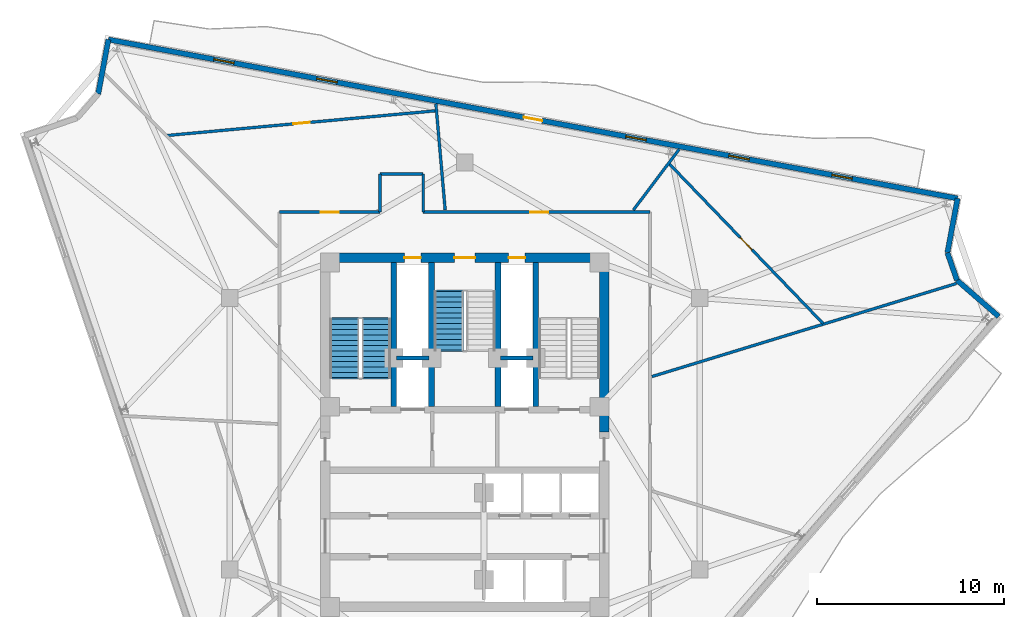
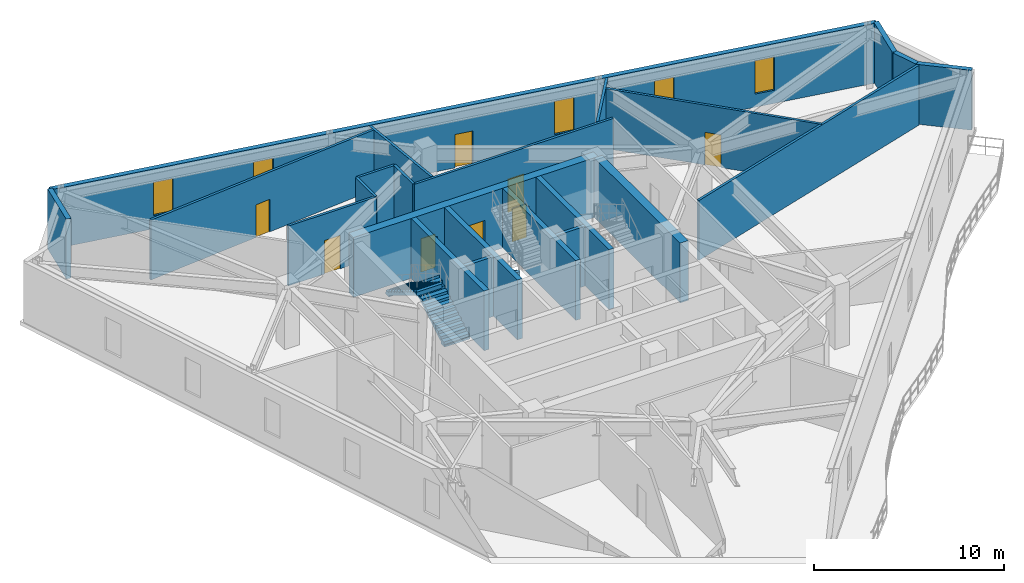
# One storey, part 6 of 10: 23 walls, 8 doors, 5 windows, 3 stair flights, 13 openings, 2 elements without a shape of their own.
"""IFC4 building model written with IfcOpenShell, lengths in metres."""

from ifc_helpers import new_model, si_unit, direction, frame, frame_2d, origin, place, context, subcontext, project, spatial, polyline, rectangle, outline, extrude, material, layer, layer_set, type_object, element, fill, aggregate, save


model = new_model("IFC4")

# Units and contexts
model_context = context("Model", 3, precision=1e-05, world=origin(), true_north=direction((0.0, 1.0)))
body_context = subcontext(model_context, "Body", "Model", "MODEL_VIEW")
ifc_project = project(units=[si_unit("LENGTHUNIT", "METRE"), si_unit("AREAUNIT", "SQUARE_METRE"), si_unit("VOLUMEUNIT", "CUBIC_METRE"), si_unit("PLANEANGLEUNIT", "RADIAN"), si_unit("MASSUNIT", "GRAM", prefix="KILO")], contexts=[model_context])

# Site, building, storey
site_placement = place(None, origin())
site = spatial("IfcSite", under=ifc_project, at=site_placement, CompositionType="ELEMENT")
building_placement = place(site_placement, origin())
building = spatial("IfcBuilding", under=site, at=building_placement, Name="Apsidion Concourse Tower", CompositionType="ELEMENT")
storey_placement = place(building_placement, frame((0.0, 0.0, 286.0)))
storey = spatial("IfcBuildingStorey", under=building, at=storey_placement, Name="L67", CompositionType="ELEMENT", Elevation=286.0)

# Wall, openings, door, windows
ifc_material_1 = material(Name="Precast concrete C40/50", Category="concrete")
ifc_layer_1 = layer(ifc_material_1, 0.280029296875)
ifc_layer_set_1 = layer_set([ifc_layer_1], Name="Precast concrete C40/50")
wall_type_1 = type_object("IfcWallType", Name="WL-EXT-280", PredefinedType="STANDARD", material=ifc_layer_set_1)
wall_1_placement = place(storey_placement, frame((-19.04150390625, 21.06640625, 0.0), z_axis=(0.0, 0.0, 1.0), x_axis=(0.982948140881, -0.183882985453, 0.0)))
wall_1 = element("IfcWall", 1, at=wall_1_placement, inside=storey, type_object=wall_type_1, Name="L67 Precast Stone Facade Wall 01", PredefinedType="STANDARD", context=body_context, shape_type="SweptSolid", body=[
    extrude(rectangle(XDim=46.16259765625, YDim=0.280029296875, at=frame_2d((23.081298828125, 0.0))), origin(), (0.0, 0.0, 1.0), 3.85009765625),
])
opening_1_placement = place(wall_1_placement, frame((22.581298828125, 0.0, 0.0)))
opening_1 = element("IfcOpeningElement", 2, at=opening_1_placement, cuts=wall_1, Name="Opening D-T1L", PredefinedType="OPENING", context=body_context, shape_type="SweptSolid", body=[
    extrude(rectangle(XDim=1.0, YDim=2.14990234375, at=frame_2d((0.5, 1.074951171875))), frame((0.0, 0.14990234375, 0.0), z_axis=(0.0, -1.0, 0.0), x_axis=(1.0, 0.0, 0.0)), (0.0, 0.0, 1.0), 0.300048828125),
])
opening_2_placement = place(wall_1_placement, frame((5.731201171875, 0.0, 0.85009765625)))
opening_2 = element("IfcOpeningElement", 3, at=opening_2_placement, cuts=wall_1, Name="Opening WN-07", PredefinedType="OPENING", context=body_context, shape_type="SweptSolid", body=[
    extrude(rectangle(XDim=1.10009765625, YDim=2.14990234375, at=frame_2d((0.550048828125, 1.074951171875))), frame((0.0, 0.14990234375, 0.0), z_axis=(0.0, -1.0, 0.0), x_axis=(1.0, 0.0, 0.0)), (0.0, 0.0, 1.0), 0.300048828125),
])
opening_3_placement = place(wall_1_placement, frame((11.331298828125, 0.0, 0.85009765625)))
opening_3 = element("IfcOpeningElement", 4, at=opening_3_placement, cuts=wall_1, Name="Opening WN-07", PredefinedType="OPENING", context=body_context, shape_type="SweptSolid", body=[
    extrude(rectangle(XDim=1.10009765625, YDim=2.14990234375, at=frame_2d((0.550048828125, 1.074951171875))), frame((0.0, 0.14990234375, 0.0), z_axis=(0.0, -1.0, 0.0), x_axis=(1.0, 0.0, 0.0)), (0.0, 0.0, 1.0), 0.300048828125),
])
opening_4_placement = place(wall_1_placement, frame((28.13134765625, 0.0, 0.85009765625)))
opening_4 = element("IfcOpeningElement", 5, at=opening_4_placement, cuts=wall_1, Name="Opening WN-07", PredefinedType="OPENING", context=body_context, shape_type="SweptSolid", body=[
    extrude(rectangle(XDim=1.10009765625, YDim=2.14990234375, at=frame_2d((0.550048828125, 1.074951171875))), frame((0.0, 0.14990234375, 0.0), z_axis=(0.0, -1.0, 0.0), x_axis=(1.0, 0.0, 0.0)), (0.0, 0.0, 1.0), 0.300048828125),
])
opening_5_placement = place(wall_1_placement, frame((33.731201171875, 0.0, 0.85009765625)))
opening_5 = element("IfcOpeningElement", 6, at=opening_5_placement, cuts=wall_1, Name="Opening WN-07", PredefinedType="OPENING", context=body_context, shape_type="SweptSolid", body=[
    extrude(rectangle(XDim=1.10009765625, YDim=2.14990234375, at=frame_2d((0.550048828125, 1.074951171875))), frame((0.0, 0.14990234375, 0.0), z_axis=(0.0, -1.0, 0.0), x_axis=(1.0, 0.0, 0.0)), (0.0, 0.0, 1.0), 0.300048828125),
])
opening_6_placement = place(wall_1_placement, frame((39.331298828125, 0.0, 0.85009765625)))
opening_6 = element("IfcOpeningElement", 7, at=opening_6_placement, cuts=wall_1, Name="Opening WN-07", PredefinedType="OPENING", context=body_context, shape_type="SweptSolid", body=[
    extrude(rectangle(XDim=1.10009765625, YDim=2.14990234375, at=frame_2d((0.550048828125, 1.074951171875))), frame((0.0, 0.14990234375, 0.0), z_axis=(0.0, -1.0, 0.0), x_axis=(1.0, 0.0, 0.0)), (0.0, 0.0, 1.0), 0.300048828125),
])
ifc_material_2 = material(Name="Anodised aluminium EN AW-6063 T6", Category="aluminium")
door_type_1 = type_object("IfcDoorType", Name="DR-TER-1022L", OperationType="SINGLE_SWING_LEFT", PredefinedType="DOOR", material=ifc_material_2)
door_1_placement = place(opening_1_placement, origin())
door_1 = element("IfcDoor", 8, at=door_1_placement, inside=storey, type_object=door_type_1, Name="L67 Balcony Access Door 2", OperationType="SINGLE_SWING_LEFT", OverallHeight=2.14990234375, OverallWidth=1.0, PredefinedType="DOOR", context=body_context, shape_type="SweptSolid", body=[
    extrude(rectangle(XDim=1.0, YDim=2.14990234375, at=frame_2d((0.5, 1.074951171875))), frame((0.0, 0.02490234375, 0.0), z_axis=(0.0, -1.0, 0.0), x_axis=(1.0, 0.0, 0.0)), (0.0, 0.0, 1.0), 0.050048828125),
])
fill(opening_1, door_1)
ifc_material_3 = material(Name="Insulated laminated low-E glass", Category="glass")
window_type = type_object("IfcWindowType", Name="WN-OFF-1123", PartitioningType="SINGLE_PANEL", PredefinedType="WINDOW", material=ifc_material_3)
window_1_placement = place(opening_2_placement, origin())
window_1 = element("IfcWindow", 9, at=window_1_placement, inside=storey, type_object=window_type, Name="L67 Punched Facade Window 1-01", OverallHeight=2.14990234375, OverallWidth=1.10009765625, PartitioningType="SINGLE_PANEL", PredefinedType="WINDOW", context=body_context, shape_type="SweptSolid", body=[
    extrude(rectangle(XDim=1.10009765625, YDim=2.14990234375, at=frame_2d((0.550048828125, 1.074951171875))), frame((0.0, 0.030029296875, 0.0), z_axis=(0.0, -1.0, 0.0), x_axis=(1.0, 0.0, 0.0)), (0.0, 0.0, 1.0), 0.06005859375),
])
fill(opening_2, window_1)
window_2_placement = place(opening_3_placement, origin())
window_2 = element("IfcWindow", 10, at=window_2_placement, inside=storey, type_object=window_type, Name="L67 Punched Facade Window 1-02", OverallHeight=2.14990234375, OverallWidth=1.10009765625, PartitioningType="SINGLE_PANEL", PredefinedType="WINDOW", context=body_context, shape_type="SweptSolid", body=[
    extrude(rectangle(XDim=1.10009765625, YDim=2.14990234375, at=frame_2d((0.550048828125, 1.074951171875))), frame((0.0, 0.030029296875, 0.0), z_axis=(0.0, -1.0, 0.0), x_axis=(1.0, 0.0, 0.0)), (0.0, 0.0, 1.0), 0.06005859375),
])
fill(opening_3, window_2)
window_3_placement = place(opening_4_placement, origin())
window_3 = element("IfcWindow", 11, at=window_3_placement, inside=storey, type_object=window_type, Name="L67 Punched Facade Window 1-05", OverallHeight=2.14990234375, OverallWidth=1.10009765625, PartitioningType="SINGLE_PANEL", PredefinedType="WINDOW", context=body_context, shape_type="SweptSolid", body=[
    extrude(rectangle(XDim=1.10009765625, YDim=2.14990234375, at=frame_2d((0.550048828125, 1.074951171875))), frame((0.0, 0.030029296875, 0.0), z_axis=(0.0, -1.0, 0.0), x_axis=(1.0, 0.0, 0.0)), (0.0, 0.0, 1.0), 0.06005859375),
])
fill(opening_4, window_3)
window_4_placement = place(opening_5_placement, origin())
window_4 = element("IfcWindow", 12, at=window_4_placement, inside=storey, type_object=window_type, Name="L67 Punched Facade Window 1-06", OverallHeight=2.14990234375, OverallWidth=1.10009765625, PartitioningType="SINGLE_PANEL", PredefinedType="WINDOW", context=body_context, shape_type="SweptSolid", body=[
    extrude(rectangle(XDim=1.10009765625, YDim=2.14990234375, at=frame_2d((0.550048828125, 1.074951171875))), frame((0.0, 0.030029296875, 0.0), z_axis=(0.0, -1.0, 0.0), x_axis=(1.0, 0.0, 0.0)), (0.0, 0.0, 1.0), 0.06005859375),
])
fill(opening_5, window_4)
window_5_placement = place(opening_6_placement, origin())
window_5 = element("IfcWindow", 13, at=window_5_placement, inside=storey, type_object=window_type, Name="L67 Punched Facade Window 1-07", OverallHeight=2.14990234375, OverallWidth=1.10009765625, PartitioningType="SINGLE_PANEL", PredefinedType="WINDOW", context=body_context, shape_type="SweptSolid", body=[
    extrude(rectangle(XDim=1.10009765625, YDim=2.14990234375, at=frame_2d((0.550048828125, 1.074951171875))), frame((0.0, 0.030029296875, 0.0), z_axis=(0.0, -1.0, 0.0), x_axis=(1.0, 0.0, 0.0)), (0.0, 0.0, 1.0), 0.06005859375),
])
fill(opening_6, window_5)

# Walls
wall_2_placement = place(storey_placement, frame((26.333984375, 12.577880859375, 0.0), z_axis=(0.0, 0.0, 1.0), x_axis=(-0.183929325972, -0.982939470694, 0.0)))
element("IfcWall", 14, at=wall_2_placement, inside=storey, type_object=wall_type_1, Name="L67 Precast Stone Facade Wall 02", PredefinedType="STANDARD", context=body_context, shape_type="SweptSolid", body=[
    extrude(rectangle(XDim=2.95458984375, YDim=0.280029296875, at=frame_2d((1.477294921875, 0.0))), origin(), (0.0, 0.0, 1.0), 3.85009765625),
])
wall_3_placement = place(storey_placement, frame((25.79052734375, 9.673583984375, 0.0), z_axis=(0.0, 0.0, 1.0), x_axis=(0.328922695325, -0.944356850189, 0.0)))
element("IfcWall", 15, at=wall_3_placement, inside=storey, type_object=wall_type_1, Name="L67 Precast Stone Facade Wall 03", PredefinedType="STANDARD", context=body_context, shape_type="SweptSolid", body=[
    extrude(rectangle(XDim=1.55419921875, YDim=0.280029296875, at=frame_2d((0.777099609375, 0.0))), origin(), (0.0, 0.0, 1.0), 3.85009765625),
])
wall_4_placement = place(storey_placement, frame((26.3017578125, 8.205810546875, 0.0), z_axis=(0.0, 0.0, 1.0), x_axis=(0.754717590568, -0.656049814028, 0.0)))
element("IfcWall", 16, at=wall_4_placement, inside=storey, type_object=wall_type_1, Name="L67 Precast Stone Facade Wall 04", PredefinedType="STANDARD", context=body_context, shape_type="SweptSolid", body=[
    extrude(rectangle(XDim=2.954345703125, YDim=0.280029296875, at=frame_2d((1.47705078125, 0.0))), origin(), (0.0, 0.0, 1.0), 3.85009765625),
])
wall_5_placement = place(storey_placement, frame((-19.5849609375, 18.1611328125, 0.0), z_axis=(0.0, 0.0, 1.0), x_axis=(0.183869591509, 0.982950646431, 0.0)))
element("IfcWall", 17, at=wall_5_placement, inside=storey, type_object=wall_type_1, Name="L67 Precast Stone Facade Wall 12", PredefinedType="STANDARD", context=body_context, shape_type="SweptSolid", body=[
    extrude(rectangle(XDim=2.95556640625, YDim=0.280029296875, at=frame_2d((1.477783203125, 0.0))), origin(), (0.0, 0.0, 1.0), 3.85009765625),
])

# Wall, opening, door
ifc_material_4 = material(Name="Gypsum plasterboard partition")
ifc_layer_2 = layer(ifc_material_4, 0.14990234375)
ifc_layer_set_2 = layer_set([ifc_layer_2], Name="Gypsum plasterboard partition")
wall_type_2 = type_object("IfcWallType", Name="WL-INT-PAR-150", PredefinedType="PARTITIONING", material=ifc_layer_set_2)
wall_6_placement = place(storey_placement, frame((-9.89990234375, 11.85009765625, 0.0), z_axis=(0.0, 0.0, 1.0), x_axis=(1.0, 0.0, 0.0)))
wall_6 = element("IfcWall", 18, at=wall_6_placement, inside=storey, type_object=wall_type_2, Name="L67 Interior Partition WL-L67-CORR-03", PredefinedType="PARTITIONING", context=body_context, shape_type="SweptSolid", body=[
    extrude(rectangle(XDim=5.369873046875, YDim=0.14990234375, at=frame_2d((2.68505859375, 0.0))), origin(), (0.0, 0.0, 1.0), 3.85009765625),
])
opening_7_placement = place(wall_6_placement, frame((2.2099609375, 0.0, 0.0)))
opening_7 = element("IfcOpeningElement", 19, at=opening_7_placement, cuts=wall_6, Name="Opening D-01R", PredefinedType="OPENING", context=body_context, shape_type="SweptSolid", body=[
    extrude(rectangle(XDim=0.949951171875, YDim=2.14990234375, at=frame_2d((0.47509765625, 1.074951171875))), frame((0.0, 0.0849609375, 0.0), z_axis=(0.0, -1.0, 0.0), x_axis=(1.0, 0.0, 0.0)), (0.0, 0.0, 1.0), 0.169921875),
])
ifc_material_5 = material(Name="Brushed stainless steel 316", Category="steel")
door_type_2 = type_object("IfcDoorType", Name="DR-INT-D01R", OperationType="SINGLE_SWING_RIGHT", PredefinedType="DOOR", material=ifc_material_5)
door_2_placement = place(opening_7_placement, origin())
door_2 = element("IfcDoor", 20, at=door_2_placement, inside=storey, type_object=door_type_2, Name="L67 Corridor Entry Door 08", OperationType="SINGLE_SWING_RIGHT", OverallHeight=2.14990234375, OverallWidth=0.949951171875, PredefinedType="DOOR", context=body_context, shape_type="SweptSolid", body=[
    extrude(rectangle(XDim=0.949951171875, YDim=2.14990234375, at=frame_2d((0.47509765625, 1.074951171875))), frame((0.0, 0.02490234375, 0.0), z_axis=(0.0, -1.0, 0.0), x_axis=(1.0, 0.0, 0.0)), (0.0, 0.0, 1.0), 0.050048828125),
])
fill(opening_7, door_2)

# Walls
wall_7_placement = place(storey_placement, frame((-4.530029296875, 11.85009765625, 0.0), z_axis=(0.0, 0.0, 1.0), x_axis=(0.0, 1.0, 0.0)))
element("IfcWall", 21, at=wall_7_placement, inside=storey, type_object=wall_type_2, Name="L67 Interior Partition WL-L67-CORR-04", PredefinedType="PARTITIONING", context=body_context, shape_type="SweptSolid", body=[
    extrude(rectangle(XDim=2.02978515625, YDim=0.14990234375, at=frame_2d((1.014892578125, 0.0))), origin(), (0.0, 0.0, 1.0), 3.85009765625),
])
wall_8_placement = place(storey_placement, frame((-4.530029296875, 13.8798828125, 0.0), z_axis=(0.0, 0.0, 1.0), x_axis=(1.0, 0.0, 0.0)))
element("IfcWall", 22, at=wall_8_placement, inside=storey, type_object=wall_type_2, Name="L67 Interior Partition WL-L67-CORR-05", PredefinedType="PARTITIONING", context=body_context, shape_type="SweptSolid", body=[
    extrude(rectangle(XDim=2.31005859375, YDim=0.14990234375, at=frame_2d((1.155029296875, 0.0))), origin(), (0.0, 0.0, 1.0), 3.85009765625),
])
wall_9_placement = place(storey_placement, frame((-2.219970703125, 13.8798828125, 0.0), z_axis=(0.0, 0.0, 1.0), x_axis=(0.0, -1.0, 0.0)))
element("IfcWall", 23, at=wall_9_placement, inside=storey, type_object=wall_type_2, Name="L67 Interior Partition WL-L67-CORR-06", PredefinedType="PARTITIONING", context=body_context, shape_type="SweptSolid", body=[
    extrude(rectangle(XDim=2.02978515625, YDim=0.14990234375, at=frame_2d((1.014892578125, 0.0))), origin(), (0.0, 0.0, 1.0), 3.85009765625),
])

# Wall, opening, door
wall_10_placement = place(storey_placement, frame((-2.219970703125, 11.85009765625, 0.0), z_axis=(0.0, 0.0, 1.0), x_axis=(1.0, 0.0, 0.0)))
wall_10 = element("IfcWall", 24, at=wall_10_placement, inside=storey, type_object=wall_type_2, Name="L67 Interior Partition WL-L67-CORR-07", PredefinedType="PARTITIONING", context=body_context, shape_type="SweptSolid", body=[
    extrude(rectangle(XDim=12.119873046875, YDim=0.14990234375, at=frame_2d((6.06005859375, 0.0))), origin(), (0.0, 0.0, 1.0), 3.85009765625),
])
opening_8_placement = place(wall_10_placement, frame((5.726806640625, 0.0, 0.0)))
opening_8 = element("IfcOpeningElement", 25, at=opening_8_placement, cuts=wall_10, Name="Opening D-01L", PredefinedType="OPENING", context=body_context, shape_type="SweptSolid", body=[
    extrude(rectangle(XDim=0.949951171875, YDim=2.14990234375, at=frame_2d((0.47509765625, 1.074951171875))), frame((0.0, 0.0849609375, 0.0), z_axis=(0.0, -1.0, 0.0), x_axis=(1.0, 0.0, 0.0)), (0.0, 0.0, 1.0), 0.169921875),
])
door_type_3 = type_object("IfcDoorType", Name="DR-INT-D01L", OperationType="SINGLE_SWING_LEFT", PredefinedType="DOOR", material=ifc_material_5)
door_3_placement = place(opening_8_placement, origin())
door_3 = element("IfcDoor", 26, at=door_3_placement, inside=storey, type_object=door_type_3, Name="L67 Corridor Entry Door 07", OperationType="SINGLE_SWING_LEFT", OverallHeight=2.14990234375, OverallWidth=0.949951171875, PredefinedType="DOOR", context=body_context, shape_type="SweptSolid", body=[
    extrude(rectangle(XDim=0.949951171875, YDim=2.14990234375, at=frame_2d((0.47509765625, 1.074951171875))), frame((0.0, 0.02490234375, 0.0), z_axis=(0.0, -1.0, 0.0), x_axis=(1.0, 0.0, 0.0)), (0.0, 0.0, 1.0), 0.050048828125),
])
fill(opening_8, door_3)

# Walls
wall_11_placement = place(storey_placement, frame((10.0048828125, 3.058837890625, 0.0), z_axis=(0.0, 0.0, 1.0), x_axis=(0.956303634786, 0.292375371902, 0.0)))
element("IfcWall", 27, at=wall_11_placement, inside=storey, type_object=wall_type_2, Name="L67 Interior Partition WL-L67-RAD-01-1", PredefinedType="PARTITIONING", context=body_context, shape_type="SweptSolid", body=[
    extrude(rectangle(XDim=17.00537109375, YDim=0.14990234375, at=frame_2d((8.502685546875, 0.0))), origin(), (0.0, 0.0, 1.0), 3.85009765625),
])
wall_12_placement = place(storey_placement, frame((9.0087890625, 11.955078125, 0.0), z_axis=(0.0, 0.0, 1.0), x_axis=(0.601813620509, 0.798636567013, 0.0)))
element("IfcWall", 28, at=wall_12_placement, inside=storey, type_object=wall_type_2, Name="L67 Interior Partition WL-L67-RAD-02-1", PredefinedType="PARTITIONING", context=body_context, shape_type="SweptSolid", body=[
    extrude(rectangle(XDim=4.0673828125, YDim=0.14990234375, at=frame_2d((2.03369140625, 0.0))), origin(), (0.0, 0.0, 1.0), 3.85009765625),
])
wall_13_placement = place(storey_placement, frame((-1.0458984375, 11.955078125, 0.0), z_axis=(0.0, 0.0, 1.0), x_axis=(-0.087176511024, 0.996192880885, 0.0)))
element("IfcWall", 29, at=wall_13_placement, inside=storey, type_object=wall_type_2, Name="L67 Interior Partition WL-L67-RAD-03-1", PredefinedType="PARTITIONING", context=body_context, shape_type="SweptSolid", body=[
    extrude(rectangle(XDim=5.701904296875, YDim=0.14990234375, at=frame_2d((2.85107421875, 0.0))), origin(), (0.0, 0.0, 1.0), 3.85009765625),
])

# Wall, opening, door
wall_14_placement = place(storey_placement, frame((19.15625, 5.8828125, 0.0), z_axis=(0.0, 0.0, 1.0), x_axis=(-0.693802772862, 0.720165059114, 0.0)))
wall_14 = element("IfcWall", 30, at=wall_14_placement, inside=storey, type_object=wall_type_2, Name="L67 Interior Partition WL-L67-CHD-OFS05", PredefinedType="PARTITIONING", context=body_context, shape_type="SweptSolid", body=[
    extrude(rectangle(XDim=11.8818359375, YDim=0.14990234375, at=frame_2d((5.94091796875, 0.0))), origin(), (0.0, 0.0, 1.0), 3.85009765625),
])
opening_9_placement = place(wall_14_placement, frame((5.490966796875, 0.0, 0.0)))
opening_9 = element("IfcOpeningElement", 31, at=opening_9_placement, cuts=wall_14, Name="Opening D-02R", PredefinedType="OPENING", context=body_context, shape_type="SweptSolid", body=[
    extrude(rectangle(XDim=0.89990234375, YDim=2.10009765625, at=frame_2d((0.449951171875, 1.050048828125))), frame((0.0, 0.0849609375, 0.0), z_axis=(0.0, -1.0, 0.0), x_axis=(1.0, 0.0, 0.0)), (0.0, 0.0, 1.0), 0.169921875),
])
door_type_4 = type_object("IfcDoorType", Name="DR-INT-D02R", OperationType="SINGLE_SWING_RIGHT", PredefinedType="DOOR", material=ifc_material_2)
door_4_placement = place(opening_9_placement, origin())
door_4 = element("IfcDoor", 32, at=door_4_placement, inside=storey, type_object=door_type_4, Name="L67 Suite Connecting Door OFS05", OperationType="SINGLE_SWING_RIGHT", OverallHeight=2.10009765625, OverallWidth=0.89990234375, PredefinedType="DOOR", context=body_context, shape_type="SweptSolid", body=[
    extrude(rectangle(XDim=0.89990234375, YDim=2.10009765625, at=frame_2d((0.449951171875, 1.050048828125))), frame((0.0, 0.02490234375, 0.0), z_axis=(0.0, -1.0, 0.0), x_axis=(1.0, 0.0, 0.0)), (0.0, 0.0, 1.0), 0.050048828125),
])
fill(opening_9, door_4)

wall_15_placement = place(storey_placement, frame((-1.535400390625, 17.26123046875, 0.0), z_axis=(0.0, 0.0, 1.0), x_axis=(-0.995795553335, -0.091603580483, 0.0)))
wall_15 = element("IfcWall", 33, at=wall_15_placement, inside=storey, type_object=wall_type_2, Name="L67 Interior Partition WL-L67-CHD-OFS07", PredefinedType="PARTITIONING", context=body_context, shape_type="SweptSolid", body=[
    extrude(rectangle(XDim=14.42919921875, YDim=0.14990234375, at=frame_2d((7.214599609375, 0.0))), origin(), (0.0, 0.0, 1.0), 3.85009765625),
])
opening_10_placement = place(wall_15_placement, frame((6.7646484375, 0.0, 0.0)))
opening_10 = element("IfcOpeningElement", 34, at=opening_10_placement, cuts=wall_15, Name="Opening D-02R", PredefinedType="OPENING", context=body_context, shape_type="SweptSolid", body=[
    extrude(rectangle(XDim=0.89990234375, YDim=2.10009765625, at=frame_2d((0.449951171875, 1.050048828125))), frame((0.0, 0.0849609375, 0.0), z_axis=(0.0, -1.0, 0.0), x_axis=(1.0, 0.0, 0.0)), (0.0, 0.0, 1.0), 0.169921875),
])
door_5_placement = place(opening_10_placement, origin())
door_5 = element("IfcDoor", 35, at=door_5_placement, inside=storey, type_object=door_type_4, Name="L67 Suite Connecting Door OFS07", OperationType="SINGLE_SWING_RIGHT", OverallHeight=2.10009765625, OverallWidth=0.89990234375, PredefinedType="DOOR", context=body_context, shape_type="SweptSolid", body=[
    extrude(rectangle(XDim=0.89990234375, YDim=2.10009765625, at=frame_2d((0.449951171875, 1.050048828125))), frame((0.0, 0.02490234375, 0.0), z_axis=(0.0, -1.0, 0.0), x_axis=(1.0, 0.0, 0.0)), (0.0, 0.0, 1.0), 0.050048828125),
])
fill(opening_10, door_5)

# Walls
ifc_layer_3 = layer(ifc_material_4, 0.199951171875)
ifc_layer_set_3 = layer_set([ifc_layer_3], Name="Gypsum plasterboard partition")
wall_type_3 = type_object("IfcWallType", Name="WL-INT-PAR-200", PredefinedType="PARTITIONING", material=ifc_layer_set_3)
for number, where, z_axis, x_axis, name in (
    (36, (-3.64990234375, 4.050048828125, 0.0), (0.0, 0.0, 1.0), (1.0, 0.0, 0.0), "L67 Interior Partition WL-L67-FF1-N"),
    (37, (1.919921875, 4.050048828125, 0.0), (0.0, 0.0, 1.0), (1.0, 0.0, 0.0), "L67 Interior Partition WL-L67-FF2-N"),
):
    element("IfcWall", number, at=place(storey_placement, frame(where, z_axis=z_axis, x_axis=x_axis)), inside=storey, type_object=wall_type_3, Name=name, PredefinedType="PARTITIONING", context=body_context, shape_type="SweptSolid", body=[
        extrude(rectangle(XDim=1.72998046875, YDim=0.199951171875, at=frame_2d((0.864990234375, 0.0))), origin(), (0.0, 0.0, 1.0), 3.85009765625),
    ])
ifc_material_6 = material(Name="Concrete C50/60", Category="concrete")
ifc_layer_4 = layer(ifc_material_6, 0.300048828125)
ifc_layer_set_4 = layer_set([ifc_layer_4], Name="Concrete C50/60")
wall_type_4 = type_object("IfcWallType", Name="WL-SH-300", PredefinedType="SHEAR", material=ifc_layer_set_4)
for number, where, z_axis, x_axis, name in (
    (38, (-3.800048828125, 1.449951171875, 0.0), (0.0, 0.0, 1.0), (0.0, 1.0, 0.0), "L67 Central Core Shear Wall V1"),
    (39, (-1.77490234375, 1.449951171875, 0.0), (0.0, 0.0, 1.0), (0.0, 1.0, 0.0), "L67 Central Core Shear Wall V2"),
    (40, (1.77490234375, 1.449951171875, 0.0), (0.0, 0.0, 1.0), (0.0, 1.0, 0.0), "L67 Central Core Shear Wall V3"),
    (41, (3.800048828125, 1.449951171875, 0.0), (0.0, 0.0, 1.0), (0.0, 1.0, 0.0), "L67 Central Core Shear Wall V4"),
):
    element("IfcWall", number, at=place(storey_placement, frame(where, z_axis=z_axis, x_axis=x_axis)), inside=storey, type_object=wall_type_4, Name=name, PredefinedType="SHEAR", context=body_context, shape_type="SweptSolid", body=[
        extrude(rectangle(XDim=7.699951171875, YDim=0.300048828125, at=frame_2d((3.85009765625, 0.0))), origin(), (0.0, 0.0, 1.0), 3.85009765625),
    ])

# Wall, openings, doors
ifc_layer_5 = layer(ifc_material_6, 0.5)
ifc_layer_set_5 = layer_set([ifc_layer_5], Name="Concrete C50/60")
wall_type_5 = type_object("IfcWallType", Name="WL-SH-500", PredefinedType="SHEAR", material=ifc_layer_set_5)
wall_16_placement = place(storey_placement, frame((-7.449951171875, 9.39990234375, 0.0), z_axis=(0.0, 0.0, 1.0), x_axis=(1.0, 0.0, 0.0)))
wall_16 = element("IfcWall", 42, at=wall_16_placement, inside=storey, type_object=wall_type_5, Name="L67 Central Core Shear Wall N", PredefinedType="SHEAR", context=body_context, shape_type="SweptSolid", body=[
    extrude(rectangle(XDim=14.89990234375, YDim=0.5, at=frame_2d((7.449951171875, 0.0))), origin(), (0.0, 0.0, 1.0), 3.85009765625),
])
opening_11_placement = place(wall_16_placement, frame((6.89990234375, 0.0, 0.0)))
opening_11 = element("IfcOpeningElement", 43, at=opening_11_placement, cuts=wall_16, Name="Opening D-STL", PredefinedType="OPENING", context=body_context, shape_type="SweptSolid", body=[
    extrude(rectangle(XDim=1.10009765625, YDim=2.14990234375, at=frame_2d((0.550048828125, 1.074951171875))), frame((0.0, 0.260009765625, 0.0), z_axis=(0.0, -1.0, 0.0), x_axis=(1.0, 0.0, 0.0)), (0.0, 0.0, 1.0), 0.52001953125),
])
opening_12_placement = place(wall_16_placement, frame((4.22998046875, 0.0, 0.0)))
opening_12 = element("IfcOpeningElement", 44, at=opening_12_placement, cuts=wall_16, Name="Opening D-05L", PredefinedType="OPENING", context=body_context, shape_type="SweptSolid", body=[
    extrude(rectangle(XDim=0.8798828125, YDim=2.14990234375, at=frame_2d((0.43994140625, 1.074951171875))), frame((0.0, 0.260009765625, 0.0), z_axis=(0.0, -1.0, 0.0), x_axis=(1.0, 0.0, 0.0)), (0.0, 0.0, 1.0), 0.52001953125),
])
opening_13_placement = place(wall_16_placement, frame((9.7900390625, 0.0, 0.0)))
opening_13 = element("IfcOpeningElement", 45, at=opening_13_placement, cuts=wall_16, Name="Opening D-05R", PredefinedType="OPENING", context=body_context, shape_type="SweptSolid", body=[
    extrude(rectangle(XDim=0.8798828125, YDim=2.14990234375, at=frame_2d((0.43994140625, 1.074951171875))), frame((0.0, 0.260009765625, 0.0), z_axis=(0.0, -1.0, 0.0), x_axis=(1.0, 0.0, 0.0)), (0.0, 0.0, 1.0), 0.52001953125),
])
door_type_5 = type_object("IfcDoorType", Name="DR-INT-D05L", OperationType="SINGLE_SWING_LEFT", PredefinedType="DOOR", material=ifc_material_5)
door_6_placement = place(opening_12_placement, origin())
door_6 = element("IfcDoor", 46, at=door_6_placement, inside=storey, type_object=door_type_5, Name="L67 Electrical Riser Shaft Access Door", OperationType="SINGLE_SWING_LEFT", OverallHeight=2.14990234375, OverallWidth=0.8798828125, PredefinedType="DOOR", context=body_context, shape_type="SweptSolid", body=[
    extrude(rectangle(XDim=0.8798828125, YDim=2.14990234375, at=frame_2d((0.43994140625, 1.074951171875))), frame((0.0, 0.02490234375, 0.0), z_axis=(0.0, -1.0, 0.0), x_axis=(1.0, 0.0, 0.0)), (0.0, 0.0, 1.0), 0.050048828125),
])
fill(opening_12, door_6)
door_type_6 = type_object("IfcDoorType", Name="DR-INT-D05R", OperationType="SINGLE_SWING_RIGHT", PredefinedType="DOOR", material=ifc_material_5)
door_7_placement = place(opening_13_placement, origin())
door_7 = element("IfcDoor", 47, at=door_7_placement, inside=storey, type_object=door_type_6, Name="L67 Mechanical Riser Shaft Access Door", OperationType="SINGLE_SWING_RIGHT", OverallHeight=2.14990234375, OverallWidth=0.8798828125, PredefinedType="DOOR", context=body_context, shape_type="SweptSolid", body=[
    extrude(rectangle(XDim=0.8798828125, YDim=2.14990234375, at=frame_2d((0.43994140625, 1.074951171875))), frame((0.0, 0.02490234375, 0.0), z_axis=(0.0, -1.0, 0.0), x_axis=(1.0, 0.0, 0.0)), (0.0, 0.0, 1.0), 0.050048828125),
])
fill(opening_13, door_7)
door_type_7 = type_object("IfcDoorType", Name="DR-INT-ST1L", OperationType="SINGLE_SWING_LEFT", PredefinedType="DOOR", material=ifc_material_5)
door_8_placement = place(opening_11_placement, origin())
door_8 = element("IfcDoor", 48, at=door_8_placement, inside=storey, type_object=door_type_7, Name="L67 Core Exit Stair ST3 Door", OperationType="SINGLE_SWING_LEFT", OverallHeight=2.14990234375, OverallWidth=1.10009765625, PredefinedType="DOOR", context=body_context, shape_type="SweptSolid", body=[
    extrude(rectangle(XDim=1.10009765625, YDim=2.14990234375, at=frame_2d((0.550048828125, 1.074951171875))), frame((0.0, 0.02490234375, 0.0), z_axis=(0.0, -1.0, 0.0), x_axis=(1.0, 0.0, 0.0)), (0.0, 0.0, 1.0), 0.050048828125),
])
fill(opening_11, door_8)

# Wall
wall_17_placement = place(storey_placement, frame((7.449951171875, 0.10009765625, 0.0), z_axis=(0.0, 0.0, 1.0), x_axis=(0.0, 1.0, 0.0)))
element("IfcWall", 49, at=wall_17_placement, inside=storey, type_object=wall_type_5, Name="L67 Central Core Shear Wall EN", PredefinedType="SHEAR", context=body_context, shape_type="SweptSolid", body=[
    extrude(rectangle(XDim=9.0498046875, YDim=0.5, at=frame_2d((4.52490234375, 0.0))), origin(), (0.0, 0.0, 1.0), 3.85009765625),
])

# Stair, stair flights
stair_type = type_object("IfcStairType", Name="ST-DL-1550", PredefinedType="HALF_TURN_STAIR", material=ifc_material_1)
stair_1_placement = place(storey_placement, origin())
stair_1 = element("IfcStair", 50, at=stair_1_placement, inside=storey, type_object=stair_type, Name="L67 Protected Core Exit Stair ST1", PredefinedType="HALF_TURN_STAIR")
stair_flight_type = type_object("IfcStairFlightType", Name="SFL-RC-1550", PredefinedType="STRAIGHT", material=ifc_material_1)
stair_flight_1_placement = place(storey_placement, frame((-4.72509765625, 3.0, 0.0), z_axis=(0.0, 0.0, 1.0), x_axis=(0.0, 1.0, 0.0)))
stair_flight_1 = element("IfcStairFlight", 51, at=stair_flight_1_placement, type_object=stair_flight_type, Name="ST1 flight 1", NumberOfRisers=12, NumberOfTreads=11, PredefinedType="STRAIGHT", RiserHeight=0.170833333, TreadLength=0.285, context=body_context, shape_type="SweptSolid", body=[
    extrude(outline(polyline([(-0.080078125, -0.1123046875), (-0.080078125, 0.0), (0.0, 0.0), (0.0, 0.1708984375), (0.284912109375, 0.1708984375), (0.284912109375, 0.341552734375), (0.570068359375, 0.341552734375), (0.570068359375, 0.512451171875), (0.85498046875, 0.512451171875), (0.85498046875, 0.683349609375), (1.139892578125, 0.683349609375), (1.139892578125, 0.854248046875), (1.425048828125, 0.854248046875), (1.425048828125, 1.02490234375), (1.7099609375, 1.02490234375), (1.7099609375, 1.19580078125), (1.9951171875, 1.19580078125), (1.9951171875, 1.36669921875), (2.280029296875, 1.36669921875), (2.280029296875, 1.53759765625), (2.56494140625, 1.53759765625), (2.56494140625, 1.708251953125), (2.85009765625, 1.708251953125), (2.85009765625, 1.879150390625), (3.135009765625, 1.879150390625), (3.135009765625, 2.050048828125), (3.215087890625, 1.964599609375), (3.215087890625, 1.704345703125), (3.135009765625, 1.704345703125), (0.29150390625, 0.0), (0.29150390625, -0.1123046875), (-0.080078125, -0.1123046875)])), frame((0.0, 0.77490234375, 0.0), z_axis=(0.0, -1.0, 0.0), x_axis=(1.0, 0.0, 0.0)), (0.0, 0.0, 1.0), 1.550048828125),
])
stair_flight_2_placement = place(storey_placement, frame((-6.425048828125, 6.135009765625, 2.050048828125), z_axis=(0.0, 0.0, 1.0), x_axis=(0.0, -1.0, 0.0)))
stair_flight_2 = element("IfcStairFlight", 52, at=stair_flight_2_placement, type_object=stair_flight_type, Name="ST1 flight 2", NumberOfRisers=12, NumberOfTreads=11, PredefinedType="STRAIGHT", RiserHeight=0.170833333, TreadLength=0.285, context=body_context, shape_type="SweptSolid", body=[
    extrude(outline(polyline([(-0.080078125, -0.1123046875), (-0.080078125, 0.0), (0.0, 0.0), (0.0, 0.1708984375), (0.284912109375, 0.1708984375), (0.284912109375, 0.341552734375), (0.570068359375, 0.341552734375), (0.570068359375, 0.512451171875), (0.85498046875, 0.512451171875), (0.85498046875, 0.683349609375), (1.139892578125, 0.683349609375), (1.139892578125, 0.854248046875), (1.425048828125, 0.854248046875), (1.425048828125, 1.02490234375), (1.7099609375, 1.02490234375), (1.7099609375, 1.19580078125), (1.9951171875, 1.19580078125), (1.9951171875, 1.36669921875), (2.280029296875, 1.36669921875), (2.280029296875, 1.53759765625), (2.56494140625, 1.53759765625), (2.56494140625, 1.708251953125), (2.85009765625, 1.708251953125), (2.85009765625, 1.879150390625), (3.135009765625, 1.879150390625), (3.135009765625, 2.050048828125), (3.215087890625, 1.964599609375), (3.215087890625, 1.704345703125), (3.135009765625, 1.704345703125), (0.29150390625, 0.0), (0.29150390625, -0.1123046875), (-0.080078125, -0.1123046875)])), frame((0.0, 0.77490234375, 0.0), z_axis=(0.0, -1.0, 0.0), x_axis=(1.0, 0.0, 0.0)), (0.0, 0.0, 1.0), 1.550048828125),
])
aggregate(stair_1, [stair_flight_1, stair_flight_2])

# Stair, stair flight
stair_2_placement = place(storey_placement, origin())
stair_2 = element("IfcStair", 53, at=stair_2_placement, inside=storey, type_object=stair_type, Name="L67 Protected Core Exit Stair ST3", PredefinedType="HALF_TURN_STAIR")
stair_flight_3_placement = place(storey_placement, frame((-0.85009765625, 7.60009765625, 0.0), z_axis=(0.0, 0.0, 1.0), x_axis=(0.0, -1.0, 0.0)))
stair_flight_3 = element("IfcStairFlight", 54, at=stair_flight_3_placement, type_object=stair_flight_type, Name="ST3 flight 1", NumberOfRisers=12, NumberOfTreads=11, PredefinedType="STRAIGHT", RiserHeight=0.170833333, TreadLength=0.285, context=body_context, shape_type="SweptSolid", body=[
    extrude(outline(polyline([(-0.080078125, -0.1123046875), (-0.080078125, 0.0), (0.0, 0.0), (0.0, 0.1708984375), (0.284912109375, 0.1708984375), (0.284912109375, 0.341552734375), (0.570068359375, 0.341552734375), (0.570068359375, 0.512451171875), (0.85498046875, 0.512451171875), (0.85498046875, 0.683349609375), (1.139892578125, 0.683349609375), (1.139892578125, 0.854248046875), (1.425048828125, 0.854248046875), (1.425048828125, 1.02490234375), (1.7099609375, 1.02490234375), (1.7099609375, 1.19580078125), (1.9951171875, 1.19580078125), (1.9951171875, 1.36669921875), (2.280029296875, 1.36669921875), (2.280029296875, 1.53759765625), (2.56494140625, 1.53759765625), (2.56494140625, 1.708251953125), (2.85009765625, 1.708251953125), (2.85009765625, 1.879150390625), (3.135009765625, 1.879150390625), (3.135009765625, 2.050048828125), (3.215087890625, 1.964599609375), (3.215087890625, 1.704345703125), (3.135009765625, 1.704345703125), (0.29150390625, 0.0), (0.29150390625, -0.1123046875), (-0.080078125, -0.1123046875)])), frame((0.0, 0.77490234375, 0.0), z_axis=(0.0, -1.0, 0.0), x_axis=(1.0, 0.0, 0.0)), (0.0, 0.0, 1.0), 1.550048828125),
])
aggregate(stair_2, [stair_flight_3])

save(model, "model.ifc")
